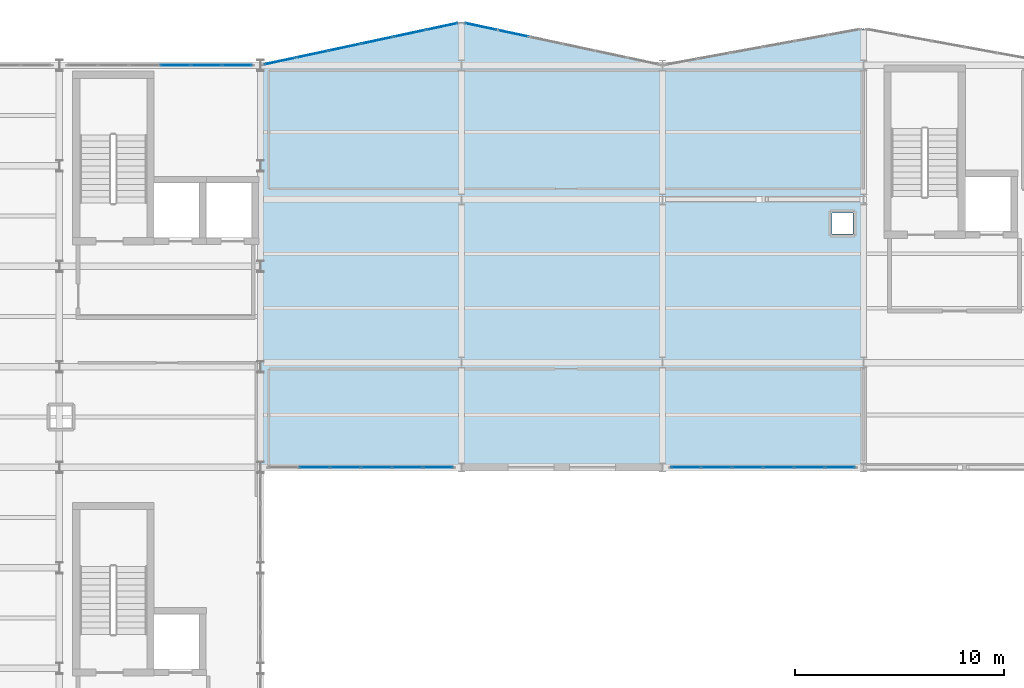
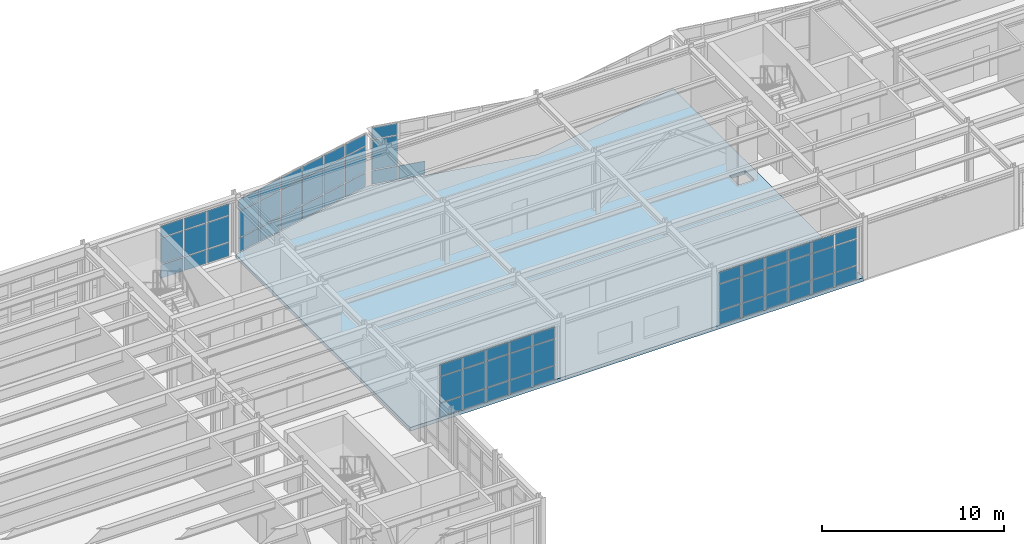
# One storey, part 58 of 88: 64 plates, 1 slab, 5 elements without a shape of their own.
"""IFC4 building model written with IfcOpenShell, lengths in metres."""

from ifc_helpers import new_model, si_unit, direction, frame, origin, origin_2d, place, context, subcontext, project, spatial, polyline, rectangle, outline, extrude, material, layer, layer_set, type_object, element, aggregate, save


model = new_model("IFC4")

# Units and contexts
model_context = context("Model", 3, precision=1e-05, world=origin(), true_north=direction((0.0, 1.0)))
body_context = subcontext(model_context, "Body", "Model", "MODEL_VIEW")
ifc_project = project(units=[si_unit("LENGTHUNIT", "METRE"), si_unit("AREAUNIT", "SQUARE_METRE"), si_unit("VOLUMEUNIT", "CUBIC_METRE"), si_unit("PLANEANGLEUNIT", "RADIAN"), si_unit("MASSUNIT", "GRAM", prefix="KILO")], contexts=[model_context])

# Site, building, storey
site_placement = place(None, origin())
site = spatial("IfcSite", under=ifc_project, at=site_placement, CompositionType="ELEMENT")
building_placement = place(site_placement, origin())
building = spatial("IfcBuilding", under=site, at=building_placement, Name="Nordkorset Police Headquarters", CompositionType="ELEMENT")
storey_placement = place(building_placement, frame((0.0, 0.0, 9.449951171875)))
storey = spatial("IfcBuildingStorey", under=building, at=storey_placement, Name="L02", CompositionType="ELEMENT", Elevation=9.449951171875)

# Curtain wall, plates
ifc_material_1 = material(Name="Aluminium alloy AW-6060", Category="aluminium")
ifc_layer_1 = layer(ifc_material_1, 0.179931640625, Name="Aluminium alloy AW-6060")
ifc_layer_set_1 = layer_set([ifc_layer_1], Name="Aluminium alloy AW-6060")
curtain_wall_type_1 = type_object("IfcCurtainWallType", Name="CW_Unit_888x364", PredefinedType="USERDEFINED", material=ifc_layer_set_1)
curtain_wall_1_placement = place(storey_placement, origin())
curtain_wall_1 = element("IfcCurtainWall", 1, at=curtain_wall_1_placement, inside=storey, type_object=curtain_wall_type_1, Name="Unitised Curtain Wall L02 V1N-2", ObjectType="UNITISED CURTAIN WALL", PredefinedType="USERDEFINED")
ifc_material_2 = material(Name="Low-iron triple glazing", Category="glass")
ifc_layer_2 = layer(ifc_material_2, 0.035888671875, Name="Low-iron triple glazing")
ifc_layer_set_2 = layer_set([ifc_layer_2], Name="Low-iron triple glazing")
plate_type = type_object("IfcPlateType", Name="CW_Panel_TripleGlazing_36", PredefinedType="CURTAIN_PANEL", material=ifc_layer_set_2)
plate_1_placement = place(storey_placement, frame((24.739990234375, 116.800048828125, 0.06494140625), z_axis=(0.0, 0.0, 1.0), x_axis=(1.0, 0.0, 0.0)))
plate_1 = element("IfcPlate", 2, at=plate_1_placement, type_object=plate_type, Name="CW-53 panel 4.1", PredefinedType="CURTAIN_PANEL", context=body_context, shape_type="SweptSolid", body=[
    extrude(rectangle(XDim=1.4150390625, YDim=0.035888671875, at=origin_2d()), origin(), (0.0, 0.0, 1.0), 0.902587890625),
])
plate_2_placement = place(storey_placement, frame((24.739990234375, 116.800048828125, 1.032470703125), z_axis=(0.0, 0.0, 1.0), x_axis=(1.0, 0.0, 0.0)))
plate_2 = element("IfcPlate", 3, at=plate_2_placement, type_object=plate_type, Name="CW-53 panel 4.2", PredefinedType="CURTAIN_PANEL", context=body_context, shape_type="SweptSolid", body=[
    extrude(rectangle(XDim=1.4150390625, YDim=0.035888671875, at=origin_2d()), origin(), (0.0, 0.0, 1.0), 1.72509765625),
])
plate_3_placement = place(storey_placement, frame((24.739990234375, 116.800048828125, 2.822509765625), z_axis=(0.0, 0.0, 1.0), x_axis=(1.0, 0.0, 0.0)))
plate_3 = element("IfcPlate", 4, at=plate_3_placement, type_object=plate_type, Name="CW-53 panel 4.3", PredefinedType="CURTAIN_PANEL", context=body_context, shape_type="SweptSolid", body=[
    extrude(rectangle(XDim=1.4150390625, YDim=0.035888671875, at=origin_2d()), origin(), (0.0, 0.0, 1.0), 0.75244140625),
])
plate_4_placement = place(storey_placement, frame((26.219970703125, 116.800048828125, 0.06494140625), z_axis=(0.0, 0.0, 1.0), x_axis=(1.0, 0.0, 0.0)))
plate_4 = element("IfcPlate", 5, at=plate_4_placement, type_object=plate_type, Name="CW-53 panel 5.1", PredefinedType="CURTAIN_PANEL", context=body_context, shape_type="SweptSolid", body=[
    extrude(rectangle(XDim=1.4150390625, YDim=0.035888671875, at=origin_2d()), origin(), (0.0, 0.0, 1.0), 0.902587890625),
])
plate_5_placement = place(storey_placement, frame((26.219970703125, 116.800048828125, 1.032470703125), z_axis=(0.0, 0.0, 1.0), x_axis=(1.0, 0.0, 0.0)))
plate_5 = element("IfcPlate", 6, at=plate_5_placement, type_object=plate_type, Name="CW-53 panel 5.2", PredefinedType="CURTAIN_PANEL", context=body_context, shape_type="SweptSolid", body=[
    extrude(rectangle(XDim=1.4150390625, YDim=0.035888671875, at=origin_2d()), origin(), (0.0, 0.0, 1.0), 1.72509765625),
])
plate_6_placement = place(storey_placement, frame((26.219970703125, 116.800048828125, 2.822509765625), z_axis=(0.0, 0.0, 1.0), x_axis=(1.0, 0.0, 0.0)))
plate_6 = element("IfcPlate", 7, at=plate_6_placement, type_object=plate_type, Name="CW-53 panel 5.3", PredefinedType="CURTAIN_PANEL", context=body_context, shape_type="SweptSolid", body=[
    extrude(rectangle(XDim=1.4150390625, YDim=0.035888671875, at=origin_2d()), origin(), (0.0, 0.0, 1.0), 0.75244140625),
])
plate_7_placement = place(storey_placement, frame((27.683837890625, 116.800048828125, 0.06494140625), z_axis=(0.0, 0.0, 1.0), x_axis=(1.0, 0.0, 0.0)))
plate_7 = element("IfcPlate", 8, at=plate_7_placement, type_object=plate_type, Name="CW-53 panel 6.1", PredefinedType="CURTAIN_PANEL", context=body_context, shape_type="SweptSolid", body=[
    extrude(rectangle(XDim=1.382568359375, YDim=0.035888671875, at=origin_2d()), origin(), (0.0, 0.0, 1.0), 0.902587890625),
])
plate_8_placement = place(storey_placement, frame((27.683837890625, 116.800048828125, 1.032470703125), z_axis=(0.0, 0.0, 1.0), x_axis=(1.0, 0.0, 0.0)))
plate_8 = element("IfcPlate", 9, at=plate_8_placement, type_object=plate_type, Name="CW-53 panel 6.2", PredefinedType="CURTAIN_PANEL", context=body_context, shape_type="SweptSolid", body=[
    extrude(rectangle(XDim=1.382568359375, YDim=0.035888671875, at=origin_2d()), origin(), (0.0, 0.0, 1.0), 1.72509765625),
])
plate_9_placement = place(storey_placement, frame((27.683837890625, 116.800048828125, 2.822509765625), z_axis=(0.0, 0.0, 1.0), x_axis=(1.0, 0.0, 0.0)))
plate_9 = element("IfcPlate", 10, at=plate_9_placement, type_object=plate_type, Name="CW-53 panel 6.3", PredefinedType="CURTAIN_PANEL", context=body_context, shape_type="SweptSolid", body=[
    extrude(rectangle(XDim=1.382568359375, YDim=0.035888671875, at=origin_2d()), origin(), (0.0, 0.0, 1.0), 0.75244140625),
])
aggregate(curtain_wall_1, [plate_1, plate_2, plate_3, plate_4, plate_5, plate_6, plate_7, plate_8, plate_9])

ifc_material_3 = material(Name="Aluminium alloy AW-6060", Category="aluminium")
ifc_layer_3 = layer(ifc_material_3, 0.179931640625, Name="Aluminium alloy AW-6060")
ifc_layer_set_3 = layer_set([ifc_layer_3], Name="Aluminium alloy AW-6060")
curtain_wall_type_2 = type_object("IfcCurtainWallType", Name="CW_Unit_954x364", PredefinedType="USERDEFINED", material=ifc_layer_set_3)
curtain_wall_2_placement = place(storey_placement, origin())
curtain_wall_2 = element("IfcCurtainWall", 11, at=curtain_wall_2_placement, inside=storey, type_object=curtain_wall_type_2, Name="Unitised Curtain Wall L02 V2N-0", ObjectType="UNITISED CURTAIN WALL", PredefinedType="USERDEFINED")
plate_10_placement = place(storey_placement, frame((29.72998046875, 116.99853515625, 0.06494140625), z_axis=(0.0, 0.0, 1.0), x_axis=(0.977951416289, 0.208832534289, 0.0)))
plate_10 = element("IfcPlate", 12, at=plate_10_placement, type_object=plate_type, Name="CW-25 panel 1.1", PredefinedType="CURTAIN_PANEL", context=body_context, shape_type="SweptSolid", body=[
    extrude(rectangle(XDim=1.491943359375, YDim=0.035888671875, at=origin_2d()), origin(), (0.0, 0.0, 1.0), 0.902587890625),
])
plate_11_placement = place(storey_placement, frame((29.72998046875, 116.99853515625, 1.032470703125), z_axis=(0.0, 0.0, 1.0), x_axis=(0.977951416289, 0.208832534289, 0.0)))
plate_11 = element("IfcPlate", 13, at=plate_11_placement, type_object=plate_type, Name="CW-25 panel 1.2", PredefinedType="CURTAIN_PANEL", context=body_context, shape_type="SweptSolid", body=[
    extrude(rectangle(XDim=1.491943359375, YDim=0.035888671875, at=origin_2d()), origin(), (0.0, 0.0, 1.0), 1.72509765625),
])
plate_12_placement = place(storey_placement, frame((29.72998046875, 116.99853515625, 2.822509765625), z_axis=(0.0, 0.0, 1.0), x_axis=(0.977951416289, 0.208832534289, 0.0)))
plate_12 = element("IfcPlate", 14, at=plate_12_placement, type_object=plate_type, Name="CW-25 panel 1.3", PredefinedType="CURTAIN_PANEL", context=body_context, shape_type="SweptSolid", body=[
    extrude(rectangle(XDim=1.491943359375, YDim=0.035888671875, at=origin_2d()), origin(), (0.0, 0.0, 1.0), 0.75244140625),
])
plate_13_placement = place(storey_placement, frame((31.2685546875, 117.3271484375, 0.06494140625), z_axis=(0.0, 0.0, 1.0), x_axis=(0.977951416289, 0.208832534289, 0.0)))
plate_13 = element("IfcPlate", 15, at=plate_13_placement, type_object=plate_type, Name="CW-25 panel 2.1", PredefinedType="CURTAIN_PANEL", context=body_context, shape_type="SweptSolid", body=[
    extrude(rectangle(XDim=1.5244140625, YDim=0.035888671875, at=origin_2d()), origin(), (0.0, 0.0, 1.0), 0.902587890625),
])
plate_14_placement = place(storey_placement, frame((31.2685546875, 117.3271484375, 1.032470703125), z_axis=(0.0, 0.0, 1.0), x_axis=(0.977951416289, 0.208832534289, 0.0)))
plate_14 = element("IfcPlate", 16, at=plate_14_placement, type_object=plate_type, Name="CW-25 panel 2.2", PredefinedType="CURTAIN_PANEL", context=body_context, shape_type="SweptSolid", body=[
    extrude(rectangle(XDim=1.5244140625, YDim=0.035888671875, at=origin_2d()), origin(), (0.0, 0.0, 1.0), 1.72509765625),
])
plate_15_placement = place(storey_placement, frame((31.2685546875, 117.3271484375, 2.822509765625), z_axis=(0.0, 0.0, 1.0), x_axis=(0.977951416289, 0.208832534289, 0.0)))
plate_15 = element("IfcPlate", 17, at=plate_15_placement, type_object=plate_type, Name="CW-25 panel 2.3", PredefinedType="CURTAIN_PANEL", context=body_context, shape_type="SweptSolid", body=[
    extrude(rectangle(XDim=1.5244140625, YDim=0.035888671875, at=origin_2d()), origin(), (0.0, 0.0, 1.0), 0.75244140625),
])
plate_16_placement = place(storey_placement, frame((32.82275390625, 117.658935546875, 0.06494140625), z_axis=(0.0, 0.0, 1.0), x_axis=(0.977951416289, 0.208832534289, 0.0)))
plate_16 = element("IfcPlate", 18, at=plate_16_placement, type_object=plate_type, Name="CW-25 panel 3.1", PredefinedType="CURTAIN_PANEL", context=body_context, shape_type="SweptSolid", body=[
    extrude(rectangle(XDim=1.5244140625, YDim=0.035888671875, at=origin_2d()), origin(), (0.0, 0.0, 1.0), 0.902587890625),
])
plate_17_placement = place(storey_placement, frame((32.82275390625, 117.658935546875, 1.032470703125), z_axis=(0.0, 0.0, 1.0), x_axis=(0.977951416289, 0.208832534289, 0.0)))
plate_17 = element("IfcPlate", 19, at=plate_17_placement, type_object=plate_type, Name="CW-25 panel 3.2", PredefinedType="CURTAIN_PANEL", context=body_context, shape_type="SweptSolid", body=[
    extrude(rectangle(XDim=1.5244140625, YDim=0.035888671875, at=origin_2d()), origin(), (0.0, 0.0, 1.0), 1.72509765625),
])
plate_18_placement = place(storey_placement, frame((32.82275390625, 117.658935546875, 2.822509765625), z_axis=(0.0, 0.0, 1.0), x_axis=(0.977951416289, 0.208832534289, 0.0)))
plate_18 = element("IfcPlate", 20, at=plate_18_placement, type_object=plate_type, Name="CW-25 panel 3.3", PredefinedType="CURTAIN_PANEL", context=body_context, shape_type="SweptSolid", body=[
    extrude(rectangle(XDim=1.5244140625, YDim=0.035888671875, at=origin_2d()), origin(), (0.0, 0.0, 1.0), 0.75244140625),
])
plate_19_placement = place(storey_placement, frame((34.377197265625, 117.990966796875, 0.06494140625), z_axis=(0.0, 0.0, 1.0), x_axis=(0.977951416289, 0.208832534289, 0.0)))
plate_19 = element("IfcPlate", 21, at=plate_19_placement, type_object=plate_type, Name="CW-25 panel 4.1", PredefinedType="CURTAIN_PANEL", context=body_context, shape_type="SweptSolid", body=[
    extrude(rectangle(XDim=1.5244140625, YDim=0.035888671875, at=origin_2d()), origin(), (0.0, 0.0, 1.0), 0.902587890625),
])
plate_20_placement = place(storey_placement, frame((34.377197265625, 117.990966796875, 1.032470703125), z_axis=(0.0, 0.0, 1.0), x_axis=(0.977951416289, 0.208832534289, 0.0)))
plate_20 = element("IfcPlate", 22, at=plate_20_placement, type_object=plate_type, Name="CW-25 panel 4.2", PredefinedType="CURTAIN_PANEL", context=body_context, shape_type="SweptSolid", body=[
    extrude(rectangle(XDim=1.5244140625, YDim=0.035888671875, at=origin_2d()), origin(), (0.0, 0.0, 1.0), 1.72509765625),
])
plate_21_placement = place(storey_placement, frame((34.377197265625, 117.990966796875, 2.822509765625), z_axis=(0.0, 0.0, 1.0), x_axis=(0.977951416289, 0.208832534289, 0.0)))
plate_21 = element("IfcPlate", 23, at=plate_21_placement, type_object=plate_type, Name="CW-25 panel 4.3", PredefinedType="CURTAIN_PANEL", context=body_context, shape_type="SweptSolid", body=[
    extrude(rectangle(XDim=1.5244140625, YDim=0.035888671875, at=origin_2d()), origin(), (0.0, 0.0, 1.0), 0.75244140625),
])
plate_22_placement = place(storey_placement, frame((35.931640625, 118.322998046875, 0.06494140625), z_axis=(0.0, 0.0, 1.0), x_axis=(0.977951416289, 0.208832534289, 0.0)))
plate_22 = element("IfcPlate", 24, at=plate_22_placement, type_object=plate_type, Name="CW-25 panel 5.1", PredefinedType="CURTAIN_PANEL", context=body_context, shape_type="SweptSolid", body=[
    extrude(rectangle(XDim=1.5244140625, YDim=0.035888671875, at=origin_2d()), origin(), (0.0, 0.0, 1.0), 0.902587890625),
])
plate_23_placement = place(storey_placement, frame((35.931640625, 118.322998046875, 1.032470703125), z_axis=(0.0, 0.0, 1.0), x_axis=(0.977951416289, 0.208832534289, 0.0)))
plate_23 = element("IfcPlate", 25, at=plate_23_placement, type_object=plate_type, Name="CW-25 panel 5.2", PredefinedType="CURTAIN_PANEL", context=body_context, shape_type="SweptSolid", body=[
    extrude(rectangle(XDim=1.5244140625, YDim=0.035888671875, at=origin_2d()), origin(), (0.0, 0.0, 1.0), 1.72509765625),
])
plate_24_placement = place(storey_placement, frame((35.931640625, 118.322998046875, 2.822509765625), z_axis=(0.0, 0.0, 1.0), x_axis=(0.977951416289, 0.208832534289, 0.0)))
plate_24 = element("IfcPlate", 26, at=plate_24_placement, type_object=plate_type, Name="CW-25 panel 5.3", PredefinedType="CURTAIN_PANEL", context=body_context, shape_type="SweptSolid", body=[
    extrude(rectangle(XDim=1.5244140625, YDim=0.035888671875, at=origin_2d()), origin(), (0.0, 0.0, 1.0), 0.75244140625),
])
plate_25_placement = place(storey_placement, frame((37.469970703125, 118.6513671875, 0.06494140625), z_axis=(0.0, 0.0, 1.0), x_axis=(0.977951416289, 0.208832534289, 0.0)))
plate_25 = element("IfcPlate", 27, at=plate_25_placement, type_object=plate_type, Name="CW-25 panel 6.1", PredefinedType="CURTAIN_PANEL", context=body_context, shape_type="SweptSolid", body=[
    extrude(rectangle(XDim=1.491943359375, YDim=0.035888671875, at=origin_2d()), origin(), (0.0, 0.0, 1.0), 0.902587890625),
])
plate_26_placement = place(storey_placement, frame((37.469970703125, 118.6513671875, 1.032470703125), z_axis=(0.0, 0.0, 1.0), x_axis=(0.977951416289, 0.208832534289, 0.0)))
plate_26 = element("IfcPlate", 28, at=plate_26_placement, type_object=plate_type, Name="CW-25 panel 6.2", PredefinedType="CURTAIN_PANEL", context=body_context, shape_type="SweptSolid", body=[
    extrude(rectangle(XDim=1.491943359375, YDim=0.035888671875, at=origin_2d()), origin(), (0.0, 0.0, 1.0), 1.72509765625),
])
plate_27_placement = place(storey_placement, frame((37.469970703125, 118.6513671875, 2.822509765625), z_axis=(0.0, 0.0, 1.0), x_axis=(0.977951416289, 0.208832534289, 0.0)))
plate_27 = element("IfcPlate", 29, at=plate_27_placement, type_object=plate_type, Name="CW-25 panel 6.3", PredefinedType="CURTAIN_PANEL", context=body_context, shape_type="SweptSolid", body=[
    extrude(rectangle(XDim=1.491943359375, YDim=0.035888671875, at=origin_2d()), origin(), (0.0, 0.0, 1.0), 0.75244140625),
])
aggregate(curtain_wall_2, [plate_10, plate_11, plate_12, plate_13, plate_14, plate_15, plate_16, plate_17, plate_18, plate_19, plate_20, plate_21, plate_22, plate_23, plate_24, plate_25, plate_26, plate_27])

curtain_wall_3_placement = place(storey_placement, origin())
curtain_wall_3 = element("IfcCurtainWall", 30, at=curtain_wall_3_placement, inside=storey, type_object=curtain_wall_type_1, Name="Unitised Curtain Wall L02 V2S-0", ObjectType="UNITISED CURTAIN WALL", PredefinedType="USERDEFINED")
plate_28_placement = place(storey_placement, frame((31.3798828125, 97.60009765625, 0.06494140625), z_axis=(0.0, 0.0, 1.0), x_axis=(1.0, 0.0, 0.0)))
plate_28 = element("IfcPlate", 31, at=plate_28_placement, type_object=plate_type, Name="CW-53 panel 2.1", PredefinedType="CURTAIN_PANEL", context=body_context, shape_type="SweptSolid", body=[
    extrude(rectangle(XDim=1.4150390625, YDim=0.035888671875, at=origin_2d()), origin(), (0.0, 0.0, 1.0), 0.902587890625),
])
plate_29_placement = place(storey_placement, frame((31.3798828125, 97.60009765625, 1.032470703125), z_axis=(0.0, 0.0, 1.0), x_axis=(1.0, 0.0, 0.0)))
plate_29 = element("IfcPlate", 32, at=plate_29_placement, type_object=plate_type, Name="CW-53 panel 2.2", PredefinedType="CURTAIN_PANEL", context=body_context, shape_type="SweptSolid", body=[
    extrude(rectangle(XDim=1.4150390625, YDim=0.035888671875, at=origin_2d()), origin(), (0.0, 0.0, 1.0), 1.72509765625),
])
plate_30_placement = place(storey_placement, frame((31.3798828125, 97.60009765625, 2.822509765625), z_axis=(0.0, 0.0, 1.0), x_axis=(1.0, 0.0, 0.0)))
plate_30 = element("IfcPlate", 33, at=plate_30_placement, type_object=plate_type, Name="CW-53 panel 2.3", PredefinedType="CURTAIN_PANEL", context=body_context, shape_type="SweptSolid", body=[
    extrude(rectangle(XDim=1.4150390625, YDim=0.035888671875, at=origin_2d()), origin(), (0.0, 0.0, 1.0), 0.75244140625),
])
plate_31_placement = place(storey_placement, frame((32.860107421875, 97.60009765625, 0.06494140625), z_axis=(0.0, 0.0, 1.0), x_axis=(1.0, 0.0, 0.0)))
plate_31 = element("IfcPlate", 34, at=plate_31_placement, type_object=plate_type, Name="CW-53 panel 3.1", PredefinedType="CURTAIN_PANEL", context=body_context, shape_type="SweptSolid", body=[
    extrude(rectangle(XDim=1.4150390625, YDim=0.035888671875, at=origin_2d()), origin(), (0.0, 0.0, 1.0), 0.902587890625),
])
plate_32_placement = place(storey_placement, frame((32.860107421875, 97.60009765625, 1.032470703125), z_axis=(0.0, 0.0, 1.0), x_axis=(1.0, 0.0, 0.0)))
plate_32 = element("IfcPlate", 35, at=plate_32_placement, type_object=plate_type, Name="CW-53 panel 3.2", PredefinedType="CURTAIN_PANEL", context=body_context, shape_type="SweptSolid", body=[
    extrude(rectangle(XDim=1.4150390625, YDim=0.035888671875, at=origin_2d()), origin(), (0.0, 0.0, 1.0), 1.72509765625),
])
plate_33_placement = place(storey_placement, frame((32.860107421875, 97.60009765625, 2.822509765625), z_axis=(0.0, 0.0, 1.0), x_axis=(1.0, 0.0, 0.0)))
plate_33 = element("IfcPlate", 36, at=plate_33_placement, type_object=plate_type, Name="CW-53 panel 3.3", PredefinedType="CURTAIN_PANEL", context=body_context, shape_type="SweptSolid", body=[
    extrude(rectangle(XDim=1.4150390625, YDim=0.035888671875, at=origin_2d()), origin(), (0.0, 0.0, 1.0), 0.75244140625),
])
plate_34_placement = place(storey_placement, frame((34.340087890625, 97.60009765625, 0.06494140625), z_axis=(0.0, 0.0, 1.0), x_axis=(1.0, 0.0, 0.0)))
plate_34 = element("IfcPlate", 37, at=plate_34_placement, type_object=plate_type, Name="CW-53 panel 4.1", PredefinedType="CURTAIN_PANEL", context=body_context, shape_type="SweptSolid", body=[
    extrude(rectangle(XDim=1.4150390625, YDim=0.035888671875, at=origin_2d()), origin(), (0.0, 0.0, 1.0), 0.902587890625),
])
plate_35_placement = place(storey_placement, frame((34.340087890625, 97.60009765625, 1.032470703125), z_axis=(0.0, 0.0, 1.0), x_axis=(1.0, 0.0, 0.0)))
plate_35 = element("IfcPlate", 38, at=plate_35_placement, type_object=plate_type, Name="CW-53 panel 4.2", PredefinedType="CURTAIN_PANEL", context=body_context, shape_type="SweptSolid", body=[
    extrude(rectangle(XDim=1.4150390625, YDim=0.035888671875, at=origin_2d()), origin(), (0.0, 0.0, 1.0), 1.72509765625),
])
plate_36_placement = place(storey_placement, frame((34.340087890625, 97.60009765625, 2.822509765625), z_axis=(0.0, 0.0, 1.0), x_axis=(1.0, 0.0, 0.0)))
plate_36 = element("IfcPlate", 39, at=plate_36_placement, type_object=plate_type, Name="CW-53 panel 4.3", PredefinedType="CURTAIN_PANEL", context=body_context, shape_type="SweptSolid", body=[
    extrude(rectangle(XDim=1.4150390625, YDim=0.035888671875, at=origin_2d()), origin(), (0.0, 0.0, 1.0), 0.75244140625),
])
plate_37_placement = place(storey_placement, frame((35.820068359375, 97.60009765625, 0.06494140625), z_axis=(0.0, 0.0, 1.0), x_axis=(1.0, 0.0, 0.0)))
plate_37 = element("IfcPlate", 40, at=plate_37_placement, type_object=plate_type, Name="CW-53 panel 5.1", PredefinedType="CURTAIN_PANEL", context=body_context, shape_type="SweptSolid", body=[
    extrude(rectangle(XDim=1.4150390625, YDim=0.035888671875, at=origin_2d()), origin(), (0.0, 0.0, 1.0), 0.902587890625),
])
plate_38_placement = place(storey_placement, frame((35.820068359375, 97.60009765625, 1.032470703125), z_axis=(0.0, 0.0, 1.0), x_axis=(1.0, 0.0, 0.0)))
plate_38 = element("IfcPlate", 41, at=plate_38_placement, type_object=plate_type, Name="CW-53 panel 5.2", PredefinedType="CURTAIN_PANEL", context=body_context, shape_type="SweptSolid", body=[
    extrude(rectangle(XDim=1.4150390625, YDim=0.035888671875, at=origin_2d()), origin(), (0.0, 0.0, 1.0), 1.72509765625),
])
plate_39_placement = place(storey_placement, frame((35.820068359375, 97.60009765625, 2.822509765625), z_axis=(0.0, 0.0, 1.0), x_axis=(1.0, 0.0, 0.0)))
plate_39 = element("IfcPlate", 42, at=plate_39_placement, type_object=plate_type, Name="CW-53 panel 5.3", PredefinedType="CURTAIN_PANEL", context=body_context, shape_type="SweptSolid", body=[
    extrude(rectangle(XDim=1.4150390625, YDim=0.035888671875, at=origin_2d()), origin(), (0.0, 0.0, 1.0), 0.75244140625),
])
plate_40_placement = place(storey_placement, frame((37.28369140625, 97.60009765625, 0.06494140625), z_axis=(0.0, 0.0, 1.0), x_axis=(1.0, 0.0, 0.0)))
plate_40 = element("IfcPlate", 43, at=plate_40_placement, type_object=plate_type, Name="CW-53 panel 6.1", PredefinedType="CURTAIN_PANEL", context=body_context, shape_type="SweptSolid", body=[
    extrude(rectangle(XDim=1.382568359375, YDim=0.035888671875, at=origin_2d()), origin(), (0.0, 0.0, 1.0), 0.902587890625),
])
plate_41_placement = place(storey_placement, frame((37.28369140625, 97.60009765625, 1.032470703125), z_axis=(0.0, 0.0, 1.0), x_axis=(1.0, 0.0, 0.0)))
plate_41 = element("IfcPlate", 44, at=plate_41_placement, type_object=plate_type, Name="CW-53 panel 6.2", PredefinedType="CURTAIN_PANEL", context=body_context, shape_type="SweptSolid", body=[
    extrude(rectangle(XDim=1.382568359375, YDim=0.035888671875, at=origin_2d()), origin(), (0.0, 0.0, 1.0), 1.72509765625),
])
plate_42_placement = place(storey_placement, frame((37.28369140625, 97.60009765625, 2.822509765625), z_axis=(0.0, 0.0, 1.0), x_axis=(1.0, 0.0, 0.0)))
plate_42 = element("IfcPlate", 45, at=plate_42_placement, type_object=plate_type, Name="CW-53 panel 6.3", PredefinedType="CURTAIN_PANEL", context=body_context, shape_type="SweptSolid", body=[
    extrude(rectangle(XDim=1.382568359375, YDim=0.035888671875, at=origin_2d()), origin(), (0.0, 0.0, 1.0), 0.75244140625),
])
aggregate(curtain_wall_3, [plate_28, plate_29, plate_30, plate_31, plate_32, plate_33, plate_34, plate_35, plate_36, plate_37, plate_38, plate_39, plate_40, plate_41, plate_42])

ifc_material_4 = material(Name="Aluminium alloy AW-6060", Category="aluminium")
ifc_layer_4 = layer(ifc_material_4, 0.179931640625, Name="Aluminium alloy AW-6060")
ifc_layer_set_4 = layer_set([ifc_layer_4], Name="Aluminium alloy AW-6060")
curtain_wall_type_3 = type_object("IfcCurtainWallType", Name="CW_Unit_954x392", PredefinedType="USERDEFINED", material=ifc_layer_set_4)
curtain_wall_4_placement = place(storey_placement, origin())
curtain_wall_4 = element("IfcCurtainWall", 46, at=curtain_wall_4_placement, inside=storey, type_object=curtain_wall_type_3, Name="Unitised Curtain Wall L02 V2N-1", ObjectType="UNITISED CURTAIN WALL", PredefinedType="USERDEFINED")
plate_43_placement = place(storey_placement, frame((39.330078125, 118.6513671875, 0.06494140625), z_axis=(0.0, 0.0, 1.0), x_axis=(0.977951416289, -0.208832534289, 0.0)))
plate_43 = element("IfcPlate", 47, at=plate_43_placement, type_object=plate_type, Name="CW-20 panel 1.1", PredefinedType="CURTAIN_PANEL", context=body_context, shape_type="SweptSolid", body=[
    extrude(rectangle(XDim=1.491943359375, YDim=0.035888671875, at=origin_2d()), origin(), (0.0, 0.0, 1.0), 0.902587890625),
])
plate_44_placement = place(storey_placement, frame((39.330078125, 118.6513671875, 1.03271484375), z_axis=(0.0, 0.0, 1.0), x_axis=(0.977951416289, -0.208832534289, 0.0)))
plate_44 = element("IfcPlate", 48, at=plate_44_placement, type_object=plate_type, Name="CW-20 panel 1.2", PredefinedType="CURTAIN_PANEL", context=body_context, shape_type="SweptSolid", body=[
    extrude(rectangle(XDim=1.491943359375, YDim=0.035888671875, at=origin_2d()), origin(), (0.0, 0.0, 1.0), 2.0048828125),
])
plate_45_placement = place(storey_placement, frame((39.330078125, 118.6513671875, 3.1025390625), z_axis=(0.0, 0.0, 1.0), x_axis=(0.977951416289, -0.208832534289, 0.0)))
plate_45 = element("IfcPlate", 49, at=plate_45_placement, type_object=plate_type, Name="CW-20 panel 1.3", PredefinedType="CURTAIN_PANEL", context=body_context, shape_type="SweptSolid", body=[
    extrude(rectangle(XDim=1.491943359375, YDim=0.035888671875, at=origin_2d()), origin(), (0.0, 0.0, 1.0), 0.75244140625),
])
plate_46_placement = place(storey_placement, frame((40.868408203125, 118.322998046875, 0.06494140625), z_axis=(0.0, 0.0, 1.0), x_axis=(0.977951416289, -0.208832534289, 0.0)))
plate_46 = element("IfcPlate", 50, at=plate_46_placement, type_object=plate_type, Name="CW-20 panel 2.1", PredefinedType="CURTAIN_PANEL", context=body_context, shape_type="SweptSolid", body=[
    extrude(rectangle(XDim=1.5244140625, YDim=0.035888671875, at=origin_2d()), origin(), (0.0, 0.0, 1.0), 0.902587890625),
])
aggregate(curtain_wall_4, [plate_43, plate_44, plate_45, plate_46])

curtain_wall_5_placement = place(storey_placement, origin())
curtain_wall_5 = element("IfcCurtainWall", 51, at=curtain_wall_5_placement, inside=storey, type_object=curtain_wall_type_1, Name="Unitised Curtain Wall L02 V2S-2", ObjectType="UNITISED CURTAIN WALL", PredefinedType="USERDEFINED")
plate_47_placement = place(storey_placement, frame((49.1162109375, 97.60009765625, 0.06494140625), z_axis=(0.0, 0.0, 1.0), x_axis=(1.0, 0.0, 0.0)))
plate_47 = element("IfcPlate", 52, at=plate_47_placement, type_object=plate_type, Name="CW-53 panel 1.1", PredefinedType="CURTAIN_PANEL", context=body_context, shape_type="SweptSolid", body=[
    extrude(rectangle(XDim=1.382568359375, YDim=0.035888671875, at=origin_2d()), origin(), (0.0, 0.0, 1.0), 0.902587890625),
])
plate_48_placement = place(storey_placement, frame((49.1162109375, 97.60009765625, 1.032470703125), z_axis=(0.0, 0.0, 1.0), x_axis=(1.0, 0.0, 0.0)))
plate_48 = element("IfcPlate", 53, at=plate_48_placement, type_object=plate_type, Name="CW-53 panel 1.2", PredefinedType="CURTAIN_PANEL", context=body_context, shape_type="SweptSolid", body=[
    extrude(rectangle(XDim=1.382568359375, YDim=0.035888671875, at=origin_2d()), origin(), (0.0, 0.0, 1.0), 1.72509765625),
])
plate_49_placement = place(storey_placement, frame((49.1162109375, 97.60009765625, 2.822509765625), z_axis=(0.0, 0.0, 1.0), x_axis=(1.0, 0.0, 0.0)))
plate_49 = element("IfcPlate", 54, at=plate_49_placement, type_object=plate_type, Name="CW-53 panel 1.3", PredefinedType="CURTAIN_PANEL", context=body_context, shape_type="SweptSolid", body=[
    extrude(rectangle(XDim=1.382568359375, YDim=0.035888671875, at=origin_2d()), origin(), (0.0, 0.0, 1.0), 0.75244140625),
])
plate_50_placement = place(storey_placement, frame((50.580078125, 97.60009765625, 0.06494140625), z_axis=(0.0, 0.0, 1.0), x_axis=(1.0, 0.0, 0.0)))
plate_50 = element("IfcPlate", 55, at=plate_50_placement, type_object=plate_type, Name="CW-53 panel 2.1", PredefinedType="CURTAIN_PANEL", context=body_context, shape_type="SweptSolid", body=[
    extrude(rectangle(XDim=1.4150390625, YDim=0.035888671875, at=origin_2d()), origin(), (0.0, 0.0, 1.0), 0.902587890625),
])
plate_51_placement = place(storey_placement, frame((50.580078125, 97.60009765625, 1.032470703125), z_axis=(0.0, 0.0, 1.0), x_axis=(1.0, 0.0, 0.0)))
plate_51 = element("IfcPlate", 56, at=plate_51_placement, type_object=plate_type, Name="CW-53 panel 2.2", PredefinedType="CURTAIN_PANEL", context=body_context, shape_type="SweptSolid", body=[
    extrude(rectangle(XDim=1.4150390625, YDim=0.035888671875, at=origin_2d()), origin(), (0.0, 0.0, 1.0), 1.72509765625),
])
plate_52_placement = place(storey_placement, frame((50.580078125, 97.60009765625, 2.822509765625), z_axis=(0.0, 0.0, 1.0), x_axis=(1.0, 0.0, 0.0)))
plate_52 = element("IfcPlate", 57, at=plate_52_placement, type_object=plate_type, Name="CW-53 panel 2.3", PredefinedType="CURTAIN_PANEL", context=body_context, shape_type="SweptSolid", body=[
    extrude(rectangle(XDim=1.4150390625, YDim=0.035888671875, at=origin_2d()), origin(), (0.0, 0.0, 1.0), 0.75244140625),
])
plate_53_placement = place(storey_placement, frame((52.06005859375, 97.60009765625, 0.06494140625), z_axis=(0.0, 0.0, 1.0), x_axis=(1.0, 0.0, 0.0)))
plate_53 = element("IfcPlate", 58, at=plate_53_placement, type_object=plate_type, Name="CW-53 panel 3.1", PredefinedType="CURTAIN_PANEL", context=body_context, shape_type="SweptSolid", body=[
    extrude(rectangle(XDim=1.4150390625, YDim=0.035888671875, at=origin_2d()), origin(), (0.0, 0.0, 1.0), 0.902587890625),
])
plate_54_placement = place(storey_placement, frame((52.06005859375, 97.60009765625, 1.032470703125), z_axis=(0.0, 0.0, 1.0), x_axis=(1.0, 0.0, 0.0)))
plate_54 = element("IfcPlate", 59, at=plate_54_placement, type_object=plate_type, Name="CW-53 panel 3.2", PredefinedType="CURTAIN_PANEL", context=body_context, shape_type="SweptSolid", body=[
    extrude(rectangle(XDim=1.4150390625, YDim=0.035888671875, at=origin_2d()), origin(), (0.0, 0.0, 1.0), 1.72509765625),
])
plate_55_placement = place(storey_placement, frame((52.06005859375, 97.60009765625, 2.822509765625), z_axis=(0.0, 0.0, 1.0), x_axis=(1.0, 0.0, 0.0)))
plate_55 = element("IfcPlate", 60, at=plate_55_placement, type_object=plate_type, Name="CW-53 panel 3.3", PredefinedType="CURTAIN_PANEL", context=body_context, shape_type="SweptSolid", body=[
    extrude(rectangle(XDim=1.4150390625, YDim=0.035888671875, at=origin_2d()), origin(), (0.0, 0.0, 1.0), 0.75244140625),
])
plate_56_placement = place(storey_placement, frame((53.5400390625, 97.60009765625, 0.06494140625), z_axis=(0.0, 0.0, 1.0), x_axis=(1.0, 0.0, 0.0)))
plate_56 = element("IfcPlate", 61, at=plate_56_placement, type_object=plate_type, Name="CW-53 panel 4.1", PredefinedType="CURTAIN_PANEL", context=body_context, shape_type="SweptSolid", body=[
    extrude(rectangle(XDim=1.4150390625, YDim=0.035888671875, at=origin_2d()), origin(), (0.0, 0.0, 1.0), 0.902587890625),
])
plate_57_placement = place(storey_placement, frame((53.5400390625, 97.60009765625, 1.032470703125), z_axis=(0.0, 0.0, 1.0), x_axis=(1.0, 0.0, 0.0)))
plate_57 = element("IfcPlate", 62, at=plate_57_placement, type_object=plate_type, Name="CW-53 panel 4.2", PredefinedType="CURTAIN_PANEL", context=body_context, shape_type="SweptSolid", body=[
    extrude(rectangle(XDim=1.4150390625, YDim=0.035888671875, at=origin_2d()), origin(), (0.0, 0.0, 1.0), 1.72509765625),
])
plate_58_placement = place(storey_placement, frame((53.5400390625, 97.60009765625, 2.822509765625), z_axis=(0.0, 0.0, 1.0), x_axis=(1.0, 0.0, 0.0)))
plate_58 = element("IfcPlate", 63, at=plate_58_placement, type_object=plate_type, Name="CW-53 panel 4.3", PredefinedType="CURTAIN_PANEL", context=body_context, shape_type="SweptSolid", body=[
    extrude(rectangle(XDim=1.4150390625, YDim=0.035888671875, at=origin_2d()), origin(), (0.0, 0.0, 1.0), 0.75244140625),
])
plate_59_placement = place(storey_placement, frame((55.02001953125, 97.60009765625, 0.06494140625), z_axis=(0.0, 0.0, 1.0), x_axis=(1.0, 0.0, 0.0)))
plate_59 = element("IfcPlate", 64, at=plate_59_placement, type_object=plate_type, Name="CW-53 panel 5.1", PredefinedType="CURTAIN_PANEL", context=body_context, shape_type="SweptSolid", body=[
    extrude(rectangle(XDim=1.4150390625, YDim=0.035888671875, at=origin_2d()), origin(), (0.0, 0.0, 1.0), 0.902587890625),
])
plate_60_placement = place(storey_placement, frame((55.02001953125, 97.60009765625, 1.032470703125), z_axis=(0.0, 0.0, 1.0), x_axis=(1.0, 0.0, 0.0)))
plate_60 = element("IfcPlate", 65, at=plate_60_placement, type_object=plate_type, Name="CW-53 panel 5.2", PredefinedType="CURTAIN_PANEL", context=body_context, shape_type="SweptSolid", body=[
    extrude(rectangle(XDim=1.4150390625, YDim=0.035888671875, at=origin_2d()), origin(), (0.0, 0.0, 1.0), 1.72509765625),
])
plate_61_placement = place(storey_placement, frame((55.02001953125, 97.60009765625, 2.822509765625), z_axis=(0.0, 0.0, 1.0), x_axis=(1.0, 0.0, 0.0)))
plate_61 = element("IfcPlate", 66, at=plate_61_placement, type_object=plate_type, Name="CW-53 panel 5.3", PredefinedType="CURTAIN_PANEL", context=body_context, shape_type="SweptSolid", body=[
    extrude(rectangle(XDim=1.4150390625, YDim=0.035888671875, at=origin_2d()), origin(), (0.0, 0.0, 1.0), 0.75244140625),
])
plate_62_placement = place(storey_placement, frame((56.483642578125, 97.60009765625, 0.06494140625), z_axis=(0.0, 0.0, 1.0), x_axis=(1.0, 0.0, 0.0)))
plate_62 = element("IfcPlate", 67, at=plate_62_placement, type_object=plate_type, Name="CW-53 panel 6.1", PredefinedType="CURTAIN_PANEL", context=body_context, shape_type="SweptSolid", body=[
    extrude(rectangle(XDim=1.382568359375, YDim=0.035888671875, at=origin_2d()), origin(), (0.0, 0.0, 1.0), 0.902587890625),
])
plate_63_placement = place(storey_placement, frame((56.483642578125, 97.60009765625, 1.032470703125), z_axis=(0.0, 0.0, 1.0), x_axis=(1.0, 0.0, 0.0)))
plate_63 = element("IfcPlate", 68, at=plate_63_placement, type_object=plate_type, Name="CW-53 panel 6.2", PredefinedType="CURTAIN_PANEL", context=body_context, shape_type="SweptSolid", body=[
    extrude(rectangle(XDim=1.382568359375, YDim=0.035888671875, at=origin_2d()), origin(), (0.0, 0.0, 1.0), 1.72509765625),
])
plate_64_placement = place(storey_placement, frame((56.483642578125, 97.60009765625, 2.822509765625), z_axis=(0.0, 0.0, 1.0), x_axis=(1.0, 0.0, 0.0)))
plate_64 = element("IfcPlate", 69, at=plate_64_placement, type_object=plate_type, Name="CW-53 panel 6.3", PredefinedType="CURTAIN_PANEL", context=body_context, shape_type="SweptSolid", body=[
    extrude(rectangle(XDim=1.382568359375, YDim=0.035888671875, at=origin_2d()), origin(), (0.0, 0.0, 1.0), 0.75244140625),
])
aggregate(curtain_wall_5, [plate_47, plate_48, plate_49, plate_50, plate_51, plate_52, plate_53, plate_54, plate_55, plate_56, plate_57, plate_58, plate_59, plate_60, plate_61, plate_62, plate_63, plate_64])

# Slab
ifc_material_5 = material(Name="Concrete C35/45", Category="concrete")
ifc_layer_5 = layer(ifc_material_5, 0.239990234375, Name="Concrete C35/45")
ifc_layer_set_5 = layer_set([ifc_layer_5], Name="Concrete C35/45")
slab_type = type_object("IfcSlabType", Name="Slab_Lab_240", PredefinedType="FLOOR", material=ifc_layer_set_5)
slab_placement = place(storey_placement, frame((0.0, 0.0, -0.239990234375)))
element("IfcSlab", 70, at=slab_placement, inside=storey, type_object=slab_type, Name="Composite Floor Slab V2 West L02", PredefinedType="FLOOR", context=body_context, shape_type="SweptSolid", body=[
    extrude(outline(polyline([(28.802001953125, 116.800048828125), (38.39990234375, 118.85009765625), (48.0, 116.800048828125), (57.60009765625, 118.550048828125), (57.60009765625, 97.60009765625), (28.802001953125, 97.60009765625), (28.802001953125, 116.800048828125)]), holes=[polyline([(57.10009765625, 109.75), (56.10009765625, 109.75), (56.10009765625, 108.75), (57.10009765625, 108.75), (57.10009765625, 109.75)])]), origin(), (0.0, 0.0, 1.0), 0.239990234375),
])

save(model, "model.ifc")
